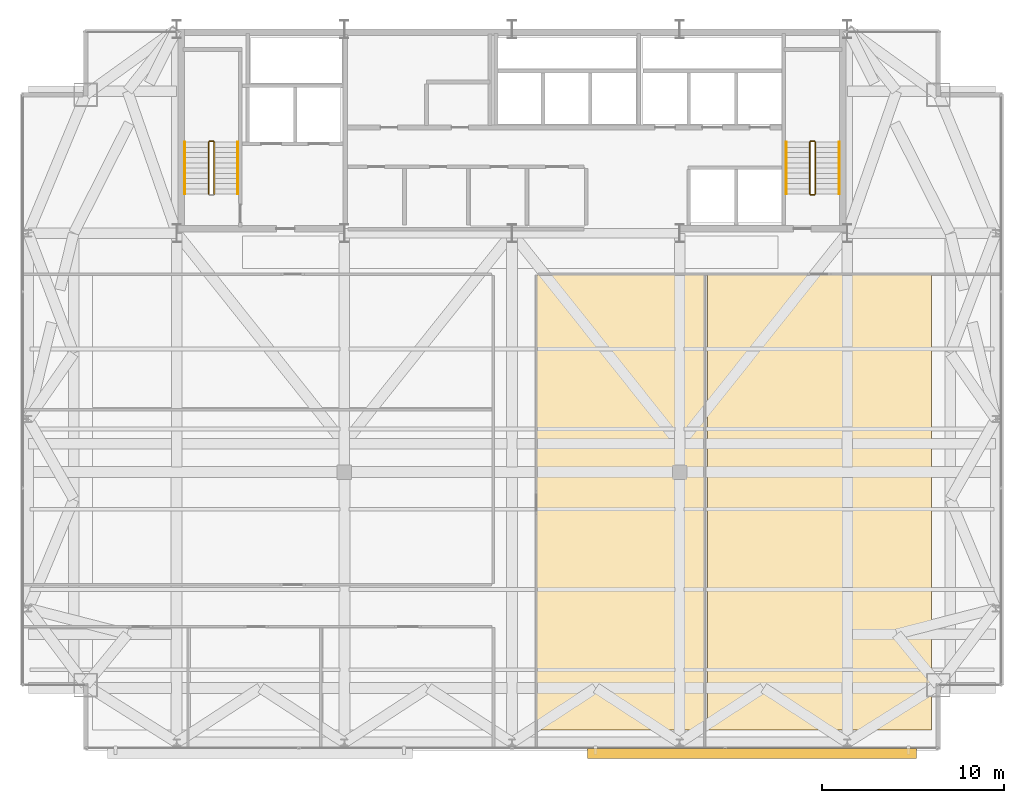
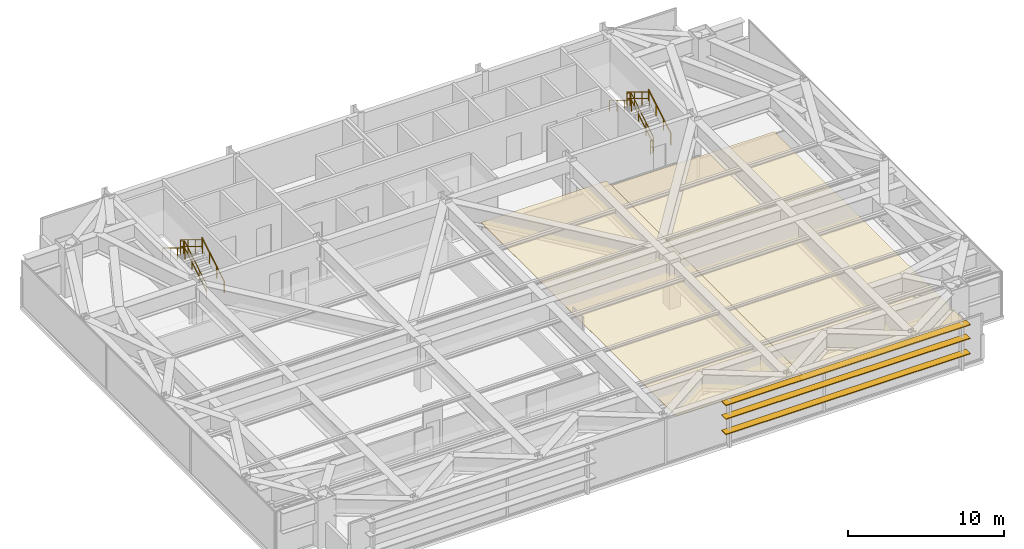
# One storey, part 26 of 26: 11 railings, 3 shading devices, 2 coverings.
"""IFC4 building model written with IfcOpenShell, lengths in metres."""

import ifcopenshell
import ifcopenshell.guid

model = None  # the IFC model being written
_history = None  # IfcOwnerHistory: only IFC2X3 demands one
_inside = {}  # id of a spatial element -> (the spatial element, [elements in it])
_under = {}  # id of a project, library or spatial element -> (it, [spatial elements below it])
_declared = {}  # id of a project -> (the project, [libraries it declares])
_typed = {}  # id of a type object -> (the type object, [elements of that type])
_made_of = {}  # id of a material, layer set ... -> (it, [elements and type objects made of it])


def new_model(schema):
    """Start an empty IFC model of exactly this schema.

    Asked for "IFC4X3", IfcOpenShell would pick the latest addendum, in which some entities
    have other attributes; the version numbers below select the first issue.
    IFC2X3 requires an IfcOwnerHistory on every rooted entity: one is made here for all.
    """
    global model, _history
    if schema == "IFC4X3":
        model = ifcopenshell.file(schema_version=(4, 3, 0, 0))
    else:
        model = ifcopenshell.file(schema=schema)
    _inside.clear()
    _under.clear()
    _declared.clear()
    _typed.clear()
    _made_of.clear()
    _history = None
    if model.schema == "IFC2X3":
        org = make("IfcOrganization", Name="unknown")
        user = make(
            "IfcPersonAndOrganization",
            ThePerson=make("IfcPerson", FamilyName="unknown"),
            TheOrganization=org,
        )
        app = make(
            "IfcApplication",
            ApplicationDeveloper=org,
            Version="unknown",
            ApplicationFullName="unknown",
            ApplicationIdentifier="unknown",
        )
        _history = make(
            "IfcOwnerHistory",
            OwningUser=user,
            OwningApplication=app,
            ChangeAction="ADDED",
            CreationDate=0,
        )
    return model


def make(cls, **values):
    """One entity of the class cls with the attributes given. An attribute that is None is left unset."""
    return model.create_entity(
        cls, **{name: value for name, value in values.items() if value is not None}
    )


def rooted(cls, **values):
    """An entity with a GlobalId (a new one), such as an element, a storey or a relation."""
    return make(cls, GlobalId=ifcopenshell.guid.new(), OwnerHistory=_history, **values)


def si_unit(unit_type, name, prefix=None):
    """IfcSIUnit, for example si_unit("LENGTHUNIT", "METRE", prefix="MILLI")."""
    return make("IfcSIUnit", UnitType=unit_type, Prefix=prefix, Name=name)


def assignment(units):
    """IfcUnitAssignment: the units of a project."""
    return None if units is None else make("IfcUnitAssignment", Units=units)


def point(xyz):
    """IfcCartesianPoint."""
    return None if xyz is None else make("IfcCartesianPoint", Coordinates=xyz)


def direction(xyz):
    """IfcDirection."""
    return None if xyz is None else make("IfcDirection", DirectionRatios=xyz)


def frame(location, z_axis=None, x_axis=None):
    """IfcAxis2Placement3D, a coordinate frame: its origin and axes. An axis left out is left unset."""
    return make(
        "IfcAxis2Placement3D",
        Location=point(location),
        Axis=direction(z_axis),
        RefDirection=direction(x_axis),
    )


def frame_2d(location, x_axis=None):
    """IfcAxis2Placement2D, a coordinate frame in the plane: its origin and x axis."""
    return make(
        "IfcAxis2Placement2D", Location=point(location), RefDirection=direction(x_axis)
    )


def origin():
    """The frame at (0, 0, 0) with its axes left unset."""
    return frame((0.0, 0.0, 0.0))


def origin_2d():
    """The frame at (0, 0) in the plane with its x axis left unset."""
    return frame_2d((0.0, 0.0))


def place(relative_to, where):
    """IfcLocalPlacement: puts the frame where relative to a parent placement (None: the world)."""
    return make(
        "IfcLocalPlacement", PlacementRelTo=relative_to, RelativePlacement=where
    )


def context(
    kind, dimensions, precision=None, world=None, true_north=None, identifier=None
):
    """IfcGeometricRepresentationContext, for example the 3D "Model" context."""
    return make(
        "IfcGeometricRepresentationContext",
        ContextIdentifier=identifier,
        ContextType=kind,
        CoordinateSpaceDimension=dimensions,
        Precision=precision,
        WorldCoordinateSystem=world,
        TrueNorth=true_north,
    )


def subcontext(parent, identifier, kind, view, scale=None):
    """IfcGeometricRepresentationSubContext, for example "Body" below "Model"."""
    return make(
        "IfcGeometricRepresentationSubContext",
        ContextIdentifier=identifier,
        ContextType=kind,
        ParentContext=parent,
        TargetScale=scale,
        TargetView=view,
    )


def project(units=None, contexts=None):
    """IfcProject with its units and contexts."""
    return rooted(
        "IfcProject",
        Name="project",
        RepresentationContexts=contexts,
        UnitsInContext=assignment(units),
    )


def spatial(cls, under=None, at=None, **own):
    """A site, building, storey or space (cls), placed at a placement, below another one or the project."""
    s = rooted(cls, ObjectPlacement=at, **own)
    if under is not None:
        _under.setdefault(under.id(), (under, []))[1].append(s)
    return s


def polyline(points):
    """IfcPolyline through the points."""
    return make("IfcPolyline", Points=[point(p) for p in points])


def profile(cls, at=None, kind="AREA", **sizes):
    """A parametric profile (cls). Its sizes go by their IFC names, for example OverallWidth=200.0."""
    return make(cls, ProfileType=kind, Position=at, **sizes)


def rectangle(**sizes):
    """IfcRectangleProfileDef."""
    return profile("IfcRectangleProfileDef", **sizes)


def outline(outer, holes=None, kind="AREA"):
    """IfcArbitraryClosedProfileDef: a profile drawn as a closed curve; with holes, ...WithVoids."""
    if holes is None:
        return make("IfcArbitraryClosedProfileDef", ProfileType=kind, OuterCurve=outer)
    return make(
        "IfcArbitraryProfileDefWithVoids",
        ProfileType=kind,
        OuterCurve=outer,
        InnerCurves=holes,
    )


def extrude(swept, where, along, depth):
    """IfcExtrudedAreaSolid: the profile swept, set in the frame where, extruded along a direction by depth."""
    return make(
        "IfcExtrudedAreaSolid",
        SweptArea=swept,
        Position=where,
        ExtrudedDirection=direction(along),
        Depth=depth,
    )


def shape(context_of_items, identifier, shape_type, items):
    """IfcShapeRepresentation: the items that make up one representation, for example the "Body"."""
    return make(
        "IfcShapeRepresentation",
        ContextOfItems=context_of_items,
        RepresentationIdentifier=identifier,
        RepresentationType=shape_type,
        Items=items,
    )


def source(mapping_origin, context_of_items, identifier, shape_type, items):
    """IfcRepresentationMap: a shape defined once, which mapped items show again and again."""
    return make(
        "IfcRepresentationMap",
        MappingOrigin=mapping_origin,
        MappedRepresentation=shape(context_of_items, identifier, shape_type, items),
    )


def transform(
    local_origin,
    x_axis=None,
    y_axis=None,
    z_axis=None,
    scale=None,
    scale2=None,
    scale3=None,
    uniform=True,
):
    """IfcCartesianTransformationOperator3D, or its non-uniform kind. x_axis, y_axis, z_axis: its Axis1, 2, 3."""
    if uniform:
        return make(
            "IfcCartesianTransformationOperator3D",
            Axis1=direction(x_axis),
            Axis2=direction(y_axis),
            LocalOrigin=point(local_origin),
            Scale=scale,
            Axis3=direction(z_axis),
        )
    return make(
        "IfcCartesianTransformationOperator3DnonUniform",
        Axis1=direction(x_axis),
        Axis2=direction(y_axis),
        LocalOrigin=point(local_origin),
        Scale=scale,
        Axis3=direction(z_axis),
        Scale2=scale2,
        Scale3=scale3,
    )


def mapped(mapping_source, mapping_target):
    """IfcMappedItem: shows the shape of a source again, moved by a transform."""
    return make(
        "IfcMappedItem", MappingSource=mapping_source, MappingTarget=mapping_target
    )


def material(Name=None, Category=None):
    """IfcMaterial."""
    return make("IfcMaterial", Name=Name, Category=Category)


def layer(
    of_material, thickness, ventilated=None, Name=None, Category=None, Priority=None
):
    """IfcMaterialLayer: one layer of a wall or slab, of a material (None: an air gap)."""
    return make(
        "IfcMaterialLayer",
        Material=of_material,
        LayerThickness=thickness,
        IsVentilated=ventilated,
        Name=Name,
        Category=Category,
        Priority=Priority,
    )


def layer_set(layers, Name=None):
    """IfcMaterialLayerSet."""
    return make("IfcMaterialLayerSet", MaterialLayers=layers, LayerSetName=Name)


def made_of(thing, what):
    """Note that an element or type object is made of a material, layer set ...; save() writes the relation."""
    if what is not None:
        _made_of.setdefault(what.id(), (what, []))[1].append(thing)
    return thing


def type_object(cls, material=None, **own):
    """A type object (cls), such as IfcWallType, which elements share."""
    return made_of(rooted(cls, **own), material)


def type_shapes(of_type, sources):
    """Give a type object the sources (RepresentationMaps) that its elements show as mapped items."""
    of_type.RepresentationMaps = sources


def element(
    cls,
    number,
    at=None,
    inside=None,
    cuts=None,
    type_object=None,
    material=None,
    context=None,
    identifier="Body",
    shape_type=None,
    held_by="IfcProductDefinitionShape",
    body=None,
    shapes=None,
    **own,
):
    """One element of the class cls, such as IfcWall. Its Tag is "e" and its number.

    at: its placement. inside: the storey or other place that contains it. cuts: it is an
    opening in that element (IfcRelVoidsElement). A single representation is given by context,
    identifier, shape_type and body (its items); several are given by shapes. held_by: the class
    of the entity that holds the representations. save() writes the other relations.
    """
    e = rooted(cls, Tag="e%d" % number, ObjectPlacement=at, **own)
    if body is not None:
        shapes = [shape(context, identifier, shape_type, body)]
    if shapes is not None:
        e.Representation = make(held_by, Representations=shapes)
    if inside is not None:
        _inside.setdefault(inside.id(), (inside, []))[1].append(e)
    if cuts is not None:
        rooted(
            "IfcRelVoidsElement", RelatingBuildingElement=cuts, RelatedOpeningElement=e
        )
    if type_object is not None:
        _typed.setdefault(type_object.id(), (type_object, []))[1].append(e)
    return made_of(e, material)


def aggregate(whole, parts):
    """IfcRelAggregates: a whole, such as a stair, and the parts it consists of."""
    return rooted("IfcRelAggregates", RelatingObject=whole, RelatedObjects=parts)


def save(model, path):
    """Write the relations noted so far, then the file.

    IfcRelAggregates (storeys below a building ...), IfcRelContainedInSpatialStructure (elements
    in a storey), IfcRelDefinesByType, IfcRelAssociatesMaterial and IfcRelDeclares: one each for
    every whole, place, type object, material and project.
    """
    for whole, parts in _under.values():
        aggregate(whole, parts)
    for where, things in _inside.values():
        rooted(
            "IfcRelContainedInSpatialStructure",
            RelatedElements=things,
            RelatingStructure=where,
        )
    for kind, things in _typed.values():
        rooted("IfcRelDefinesByType", RelatedObjects=things, RelatingType=kind)
    for what, things in _made_of.values():
        rooted("IfcRelAssociatesMaterial", RelatedObjects=things, RelatingMaterial=what)
    for by, libraries in _declared.values():
        rooted("IfcRelDeclares", RelatingContext=by, RelatedDefinitions=libraries)
    model.write(path)


model = new_model("IFC4")

# Units and contexts
model_context = context("Model", 3, precision=1e-05, world=origin(), true_north=direction((0.0, 1.0)))
body_context = subcontext(model_context, "Body", "Model", "MODEL_VIEW")
ifc_project = project(units=[si_unit("LENGTHUNIT", "METRE"), si_unit("AREAUNIT", "SQUARE_METRE"), si_unit("VOLUMEUNIT", "CUBIC_METRE"), si_unit("PLANEANGLEUNIT", "RADIAN"), si_unit("MASSUNIT", "GRAM", prefix="KILO")], contexts=[model_context])

# Site, building, storey
site_placement = place(None, origin())
site = spatial("IfcSite", under=ifc_project, at=site_placement, CompositionType="ELEMENT")
building_placement = place(site_placement, origin())
building = spatial("IfcBuilding", under=site, at=building_placement, Name="Varnel Quay Broadcast Tower", CompositionType="ELEMENT")
storey_placement = place(building_placement, frame((0.0, 0.0, 196.0)))
storey = spatial("IfcBuildingStorey", under=building, at=storey_placement, Name="L48", CompositionType="ELEMENT", Elevation=196.0)

# Coverings
ifc_material_1 = material(Name="Micro-Perforated Acoustic Ceiling Tile")
ifc_layer_1 = layer(ifc_material_1, 0.0400390625, Name="Micro-Perforated Acoustic Ceiling Tile")
ifc_layer_set_1 = layer_set([ifc_layer_1], Name="Micro-Perforated Acoustic Ceiling Tile")
covering_type = type_object("IfcCoveringType", Name="Cov_AcousticCeiling", PredefinedType="CEILING", material=ifc_layer_set_1)
covering_1_placement = place(storey_placement, frame((0.0, 0.0, 2.580078125)))
element("IfcCovering", 1, at=covering_1_placement, inside=storey, type_object=covering_type, Name="L48 Media Tape Archive Store 6 Acoustic Ceiling", PredefinedType="CEILING", context=body_context, shape_type="SweptSolid", body=[
    extrude(outline(polyline([(35.364990234375, 8.324951171875), (44.64501953125, 8.324951171875), (44.64501953125, 33.31494140625), (35.364990234375, 33.31494140625), (35.364990234375, 8.324951171875)])), origin(), (0.0, 0.0, 1.0), 0.0400390625),
])
covering_2_placement = place(storey_placement, frame((0.0, 0.0, 2.094970703125)))
element("IfcCovering", 2, at=covering_2_placement, inside=storey, type_object=covering_type, Name="L48 Lens & Rigging Store 7 Acoustic Ceiling", PredefinedType="CEILING", context=body_context, shape_type="SweptSolid", body=[
    extrude(outline(polyline([(44.715087890625, 8.324951171875), (57.014892578125, 8.324951171875), (57.014892578125, 33.31494140625), (44.715087890625, 33.31494140625), (44.715087890625, 8.324951171875)])), origin(), (0.0, 0.0, 1.0), 0.0400390625),
])

# Railings
ifc_material_2 = material(Name="Painted Steel Guard and Handrail CSA G40.21 350W", Category="steel")
railing_type_1 = type_object("IfcRailingType", Name="Rail_StairGuard1100", PredefinedType="GUARDRAIL", material=ifc_material_2)
railing_1_placement = place(storey_placement, frame((17.64990234375, 37.75, 0.172607421875)))
element("IfcRailing", 3, at=railing_1_placement, inside=storey, type_object=railing_type_1, Name="L48 ST-01 stair guard 1", PredefinedType="GUARDRAIL", context=body_context, shape_type="SweptSolid", body=[
    extrude(rectangle(XDim=0.048095703125, YDim=0.048095703125, at=origin_2d()), frame((0.0, 0.0, 1.076171875), z_axis=(0.0, 0.855202751398, 0.518293598264), x_axis=(-1.0, 0.0, 0.0)), (0.0, 0.0, 1.0), 3.332763671875),
    extrude(rectangle(XDim=0.048095703125, YDim=0.048095703125, at=origin_2d()), frame((0.0, 0.0, 0.550048828125), z_axis=(0.0, 0.855202751398, 0.518293598264), x_axis=(-1.0, 0.0, 0.0)), (0.0, 0.0, 1.0), 3.332763671875),
    extrude(rectangle(XDim=0.0419921875, YDim=0.0419921875, at=origin_2d()), origin(), (0.0, 0.0, 1.0), 1.052001953125),
    extrude(rectangle(XDim=0.0419921875, YDim=0.0419921875, at=origin_2d()), frame((0.0, 0.949951171875, 0.57568359375)), (0.0, 0.0, 1.0), 1.052001953125),
    extrude(rectangle(XDim=0.0419921875, YDim=0.0419921875, at=origin_2d()), frame((0.0, 1.900146484375, 1.151611328125)), (0.0, 0.0, 1.0), 1.052001953125),
    extrude(rectangle(XDim=0.0419921875, YDim=0.0419921875, at=origin_2d()), frame((0.0, 2.85009765625, 1.727294921875)), (0.0, 0.0, 1.0), 1.052001953125),
])
railing_2_placement = place(storey_placement, frame((17.60009765625, 40.64990234375, 1.89990234375)))
element("IfcRailing", 4, at=railing_2_placement, inside=storey, type_object=railing_type_1, Name="L48 ST-01 stair guard 2", PredefinedType="GUARDRAIL", context=body_context, shape_type="SweptSolid", body=[
    extrude(rectangle(XDim=0.048095703125, YDim=0.048095703125, at=origin_2d()), frame((0.0, 0.0, 1.076171875), z_axis=(-1.0, 0.0, 0.0), x_axis=(0.0, -1.0, 0.0)), (0.0, 0.0, 1.0), 0.2001953125),
    extrude(rectangle(XDim=0.048095703125, YDim=0.048095703125, at=origin_2d()), frame((0.0, 0.0, 0.550048828125), z_axis=(-1.0, 0.0, 0.0), x_axis=(0.0, -1.0, 0.0)), (0.0, 0.0, 1.0), 0.2001953125),
    extrude(rectangle(XDim=0.0419921875, YDim=0.0419921875, at=origin_2d()), origin(), (0.0, 0.0, 1.0), 1.052001953125),
    extrude(rectangle(XDim=0.0419921875, YDim=0.0419921875, at=origin_2d()), frame((-0.2001953125, 0.0, 0.0)), (0.0, 0.0, 1.0), 1.052001953125),
])
railing_3_placement = place(storey_placement, frame((17.35009765625, 40.60009765625, 2.07275390625)))
element("IfcRailing", 5, at=railing_3_placement, inside=storey, type_object=railing_type_1, Name="L48 ST-01 stair guard 3", PredefinedType="GUARDRAIL", context=body_context, shape_type="SweptSolid", body=[
    extrude(rectangle(XDim=0.048095703125, YDim=0.048095703125, at=origin_2d()), frame((0.0, 0.0, 1.076171875), z_axis=(0.0, -0.855202751398, 0.518293598264), x_axis=(1.0, 0.0, 0.0)), (0.0, 0.0, 1.0), 3.332763671875),
    extrude(rectangle(XDim=0.048095703125, YDim=0.048095703125, at=origin_2d()), frame((0.0, 0.0, 0.550048828125), z_axis=(0.0, -0.855202751398, 0.518293598264), x_axis=(1.0, 0.0, 0.0)), (0.0, 0.0, 1.0), 3.332763671875),
    extrude(rectangle(XDim=0.0419921875, YDim=0.0419921875, at=origin_2d()), origin(), (0.0, 0.0, 1.0), 1.052001953125),
    extrude(rectangle(XDim=0.0419921875, YDim=0.0419921875, at=origin_2d()), frame((0.0, -0.949951171875, 0.57568359375)), (0.0, 0.0, 1.0), 1.052001953125),
    extrude(rectangle(XDim=0.0419921875, YDim=0.0419921875, at=origin_2d()), frame((0.0, -1.900146484375, 1.151611328125)), (0.0, 0.0, 1.0), 1.052001953125),
    extrude(rectangle(XDim=0.0419921875, YDim=0.0419921875, at=origin_2d()), frame((0.0, -2.85009765625, 1.727294921875)), (0.0, 0.0, 1.0), 1.052001953125),
])
railing_4_placement = place(storey_placement, frame((50.64990234375, 37.75, 0.172607421875)))
element("IfcRailing", 6, at=railing_4_placement, inside=storey, type_object=railing_type_1, Name="L48 ST-02 stair guard 1", PredefinedType="GUARDRAIL", context=body_context, shape_type="SweptSolid", body=[
    extrude(rectangle(XDim=0.048095703125, YDim=0.048095703125, at=origin_2d()), frame((0.0, 0.0, 1.076171875), z_axis=(0.0, 0.855202751398, 0.518293598264), x_axis=(-1.0, 0.0, 0.0)), (0.0, 0.0, 1.0), 3.332763671875),
    extrude(rectangle(XDim=0.048095703125, YDim=0.048095703125, at=origin_2d()), frame((0.0, 0.0, 0.550048828125), z_axis=(0.0, 0.855202751398, 0.518293598264), x_axis=(-1.0, 0.0, 0.0)), (0.0, 0.0, 1.0), 3.332763671875),
    extrude(rectangle(XDim=0.0419921875, YDim=0.0419921875, at=origin_2d()), origin(), (0.0, 0.0, 1.0), 1.052001953125),
    extrude(rectangle(XDim=0.0419921875, YDim=0.0419921875, at=origin_2d()), frame((0.0, 0.949951171875, 0.57568359375)), (0.0, 0.0, 1.0), 1.052001953125),
    extrude(rectangle(XDim=0.0419921875, YDim=0.0419921875, at=origin_2d()), frame((0.0, 1.900146484375, 1.151611328125)), (0.0, 0.0, 1.0), 1.052001953125),
    extrude(rectangle(XDim=0.0419921875, YDim=0.0419921875, at=origin_2d()), frame((0.0, 2.85009765625, 1.727294921875)), (0.0, 0.0, 1.0), 1.052001953125),
])
railing_5_placement = place(storey_placement, frame((50.60009765625, 40.64990234375, 1.89990234375)))
element("IfcRailing", 7, at=railing_5_placement, inside=storey, type_object=railing_type_1, Name="L48 ST-02 stair guard 2", PredefinedType="GUARDRAIL", context=body_context, shape_type="SweptSolid", body=[
    extrude(rectangle(XDim=0.048095703125, YDim=0.048095703125, at=origin_2d()), frame((0.0, 0.0, 1.076171875), z_axis=(-1.0, 0.0, 0.0), x_axis=(0.0, -1.0, 0.0)), (0.0, 0.0, 1.0), 0.2001953125),
    extrude(rectangle(XDim=0.048095703125, YDim=0.048095703125, at=origin_2d()), frame((0.0, 0.0, 0.550048828125), z_axis=(-1.0, 0.0, 0.0), x_axis=(0.0, -1.0, 0.0)), (0.0, 0.0, 1.0), 0.2001953125),
    extrude(rectangle(XDim=0.0419921875, YDim=0.0419921875, at=origin_2d()), origin(), (0.0, 0.0, 1.0), 1.052001953125),
    extrude(rectangle(XDim=0.0419921875, YDim=0.0419921875, at=origin_2d()), frame((-0.2001953125, 0.0, 0.0)), (0.0, 0.0, 1.0), 1.052001953125),
])
railing_6_placement = place(storey_placement, frame((50.35009765625, 40.60009765625, 2.07275390625)))
element("IfcRailing", 8, at=railing_6_placement, inside=storey, type_object=railing_type_1, Name="L48 ST-02 stair guard 3", PredefinedType="GUARDRAIL", context=body_context, shape_type="SweptSolid", body=[
    extrude(rectangle(XDim=0.048095703125, YDim=0.048095703125, at=origin_2d()), frame((0.0, 0.0, 1.076171875), z_axis=(0.0, -0.855202751398, 0.518293598264), x_axis=(1.0, 0.0, 0.0)), (0.0, 0.0, 1.0), 3.332763671875),
    extrude(rectangle(XDim=0.048095703125, YDim=0.048095703125, at=origin_2d()), frame((0.0, 0.0, 0.550048828125), z_axis=(0.0, -0.855202751398, 0.518293598264), x_axis=(1.0, 0.0, 0.0)), (0.0, 0.0, 1.0), 3.332763671875),
    extrude(rectangle(XDim=0.0419921875, YDim=0.0419921875, at=origin_2d()), origin(), (0.0, 0.0, 1.0), 1.052001953125),
    extrude(rectangle(XDim=0.0419921875, YDim=0.0419921875, at=origin_2d()), frame((0.0, -0.949951171875, 0.57568359375)), (0.0, 0.0, 1.0), 1.052001953125),
    extrude(rectangle(XDim=0.0419921875, YDim=0.0419921875, at=origin_2d()), frame((0.0, -1.900146484375, 1.151611328125)), (0.0, 0.0, 1.0), 1.052001953125),
    extrude(rectangle(XDim=0.0419921875, YDim=0.0419921875, at=origin_2d()), frame((0.0, -2.85009765625, 1.727294921875)), (0.0, 0.0, 1.0), 1.052001953125),
])
railing_7_placement = place(storey_placement, frame((50.60009765625, 37.699951171875, 0.0)))
element("IfcRailing", 9, at=railing_7_placement, inside=storey, type_object=railing_type_1, Name="L48 ST-02 stair guard 4", PredefinedType="GUARDRAIL", context=body_context, shape_type="SweptSolid", body=[
    extrude(rectangle(XDim=0.048095703125, YDim=0.048095703125, at=origin_2d()), frame((0.0, 0.0, 1.076171875), z_axis=(-1.0, 0.0, 0.0), x_axis=(0.0, -1.0, 0.0)), (0.0, 0.0, 1.0), 0.2001953125),
    extrude(rectangle(XDim=0.048095703125, YDim=0.048095703125, at=origin_2d()), frame((0.0, 0.0, 0.550048828125), z_axis=(-1.0, 0.0, 0.0), x_axis=(0.0, -1.0, 0.0)), (0.0, 0.0, 1.0), 0.2001953125),
    extrude(rectangle(XDim=0.0419921875, YDim=0.0419921875, at=origin_2d()), origin(), (0.0, 0.0, 1.0), 1.052001953125),
    extrude(rectangle(XDim=0.0419921875, YDim=0.0419921875, at=origin_2d()), frame((-0.2001953125, 0.0, 0.0)), (0.0, 0.0, 1.0), 1.052001953125),
])
railing_type_2 = type_object("IfcRailingType", Name="Rail_StairHandrail900", PredefinedType="HANDRAIL", material=ifc_material_2)
railing_8_placement = place(storey_placement, frame((18.949951171875, 37.75, 0.172607421875)))
element("IfcRailing", 10, at=railing_8_placement, inside=storey, type_object=railing_type_2, Name="L48 ST-01 stair handrail 1", PredefinedType="HANDRAIL", context=body_context, shape_type="SweptSolid", body=[
    extrude(rectangle(XDim=0.048095703125, YDim=0.048095703125, at=origin_2d()), frame((0.0, 0.0, 0.8759765625), z_axis=(0.0, 0.855202751398, 0.518293598264), x_axis=(-1.0, 0.0, 0.0)), (0.0, 0.0, 1.0), 3.332763671875),
    extrude(rectangle(XDim=0.0419921875, YDim=0.0419921875, at=origin_2d()), origin(), (0.0, 0.0, 1.0), 0.851806640625),
    extrude(rectangle(XDim=0.0419921875, YDim=0.0419921875, at=origin_2d()), frame((0.0, 0.949951171875, 0.57568359375)), (0.0, 0.0, 1.0), 0.851806640625),
    extrude(rectangle(XDim=0.0419921875, YDim=0.0419921875, at=origin_2d()), frame((0.0, 1.900146484375, 1.151611328125)), (0.0, 0.0, 1.0), 0.851806640625),
    extrude(rectangle(XDim=0.0419921875, YDim=0.0419921875, at=origin_2d()), frame((0.0, 2.85009765625, 1.727294921875)), (0.0, 0.0, 1.0), 0.851806640625),
])
railing_9_placement = place(storey_placement, frame((16.050048828125, 40.60009765625, 2.07275390625)))
element("IfcRailing", 11, at=railing_9_placement, inside=storey, type_object=railing_type_2, Name="L48 ST-01 stair handrail 2", PredefinedType="HANDRAIL", context=body_context, shape_type="SweptSolid", body=[
    extrude(rectangle(XDim=0.048095703125, YDim=0.048095703125, at=origin_2d()), frame((0.0, 0.0, 0.8759765625), z_axis=(0.0, -0.855202751398, 0.518293598264), x_axis=(1.0, 0.0, 0.0)), (0.0, 0.0, 1.0), 3.332763671875),
    extrude(rectangle(XDim=0.0419921875, YDim=0.0419921875, at=origin_2d()), origin(), (0.0, 0.0, 1.0), 0.851806640625),
    extrude(rectangle(XDim=0.0419921875, YDim=0.0419921875, at=origin_2d()), frame((0.0, -0.949951171875, 0.57568359375)), (0.0, 0.0, 1.0), 0.851806640625),
    extrude(rectangle(XDim=0.0419921875, YDim=0.0419921875, at=origin_2d()), frame((0.0, -1.900146484375, 1.151611328125)), (0.0, 0.0, 1.0), 0.851806640625),
    extrude(rectangle(XDim=0.0419921875, YDim=0.0419921875, at=origin_2d()), frame((0.0, -2.85009765625, 1.727294921875)), (0.0, 0.0, 1.0), 0.851806640625),
])
railing_10_placement = place(storey_placement, frame((51.949951171875, 37.75, 0.172607421875)))
element("IfcRailing", 12, at=railing_10_placement, inside=storey, type_object=railing_type_2, Name="L48 ST-02 stair handrail 1", PredefinedType="HANDRAIL", context=body_context, shape_type="SweptSolid", body=[
    extrude(rectangle(XDim=0.048095703125, YDim=0.048095703125, at=origin_2d()), frame((0.0, 0.0, 0.8759765625), z_axis=(0.0, 0.855202751398, 0.518293598264), x_axis=(-1.0, 0.0, 0.0)), (0.0, 0.0, 1.0), 3.332763671875),
    extrude(rectangle(XDim=0.0419921875, YDim=0.0419921875, at=origin_2d()), origin(), (0.0, 0.0, 1.0), 0.851806640625),
    extrude(rectangle(XDim=0.0419921875, YDim=0.0419921875, at=origin_2d()), frame((0.0, 0.949951171875, 0.57568359375)), (0.0, 0.0, 1.0), 0.851806640625),
    extrude(rectangle(XDim=0.0419921875, YDim=0.0419921875, at=origin_2d()), frame((0.0, 1.900146484375, 1.151611328125)), (0.0, 0.0, 1.0), 0.851806640625),
    extrude(rectangle(XDim=0.0419921875, YDim=0.0419921875, at=origin_2d()), frame((0.0, 2.85009765625, 1.727294921875)), (0.0, 0.0, 1.0), 0.851806640625),
])
railing_11_placement = place(storey_placement, frame((49.050048828125, 40.60009765625, 2.07275390625)))
element("IfcRailing", 13, at=railing_11_placement, inside=storey, type_object=railing_type_2, Name="L48 ST-02 stair handrail 2", PredefinedType="HANDRAIL", context=body_context, shape_type="SweptSolid", body=[
    extrude(rectangle(XDim=0.048095703125, YDim=0.048095703125, at=origin_2d()), frame((0.0, 0.0, 0.8759765625), z_axis=(0.0, -0.855202751398, 0.518293598264), x_axis=(1.0, 0.0, 0.0)), (0.0, 0.0, 1.0), 3.332763671875),
    extrude(rectangle(XDim=0.0419921875, YDim=0.0419921875, at=origin_2d()), origin(), (0.0, 0.0, 1.0), 0.851806640625),
    extrude(rectangle(XDim=0.0419921875, YDim=0.0419921875, at=origin_2d()), frame((0.0, -0.949951171875, 0.57568359375)), (0.0, 0.0, 1.0), 0.851806640625),
    extrude(rectangle(XDim=0.0419921875, YDim=0.0419921875, at=origin_2d()), frame((0.0, -1.900146484375, 1.151611328125)), (0.0, 0.0, 1.0), 0.851806640625),
    extrude(rectangle(XDim=0.0419921875, YDim=0.0419921875, at=origin_2d()), frame((0.0, -2.85009765625, 1.727294921875)), (0.0, 0.0, 1.0), 0.851806640625),
])

# Shading devices
ifc_material_3 = material(Name="Bronze-Terracotta Extruded Ceramic Blade", Category="masonry")
ifc_layer_2 = layer(ifc_material_3, 0.06494140625, Name="Bronze-Terracotta Extruded Ceramic Blade")
ifc_layer_set_2 = layer_set([ifc_layer_2], Name="Bronze-Terracotta Extruded Ceramic Blade")
shading_device_type = type_object("IfcShadingDeviceType", Name="Shade_LouvreBlade550", PredefinedType="JALOUSIE", material=ifc_layer_set_2)
shared_shape = source(origin(), body_context, "Body", "SweptSolid", [
    extrude(rectangle(XDim=18.069091796875, YDim=0.550048828125, at=origin_2d()), origin(), (0.0, 0.0, 1.0), 0.06494140625),
])
type_shapes(shading_device_type, [shared_shape])
for number, where, z_axis, x_axis, name in (
    (14, (47.166015625, 7.06005859375, 1.117431640625), (0.0, 0.0, 1.0), (1.0, 0.0, 0.0), "L48 Lobe 2 Horizontal Louvre Blade 1"),
    (15, (47.166015625, 7.06005859375, 2.317626953125), (0.0, 0.0, 1.0), (1.0, 0.0, 0.0), "L48 Lobe 2 Horizontal Louvre Blade 2"),
    (16, (47.166015625, 7.06005859375, 3.387451171875), (0.0, 0.0, 1.0), (1.0, 0.0, 0.0), "L48 Lobe 2 Horizontal Louvre Blade 3"),
):
    element("IfcShadingDevice", number, at=place(storey_placement, frame(where, z_axis=z_axis, x_axis=x_axis)), inside=storey, type_object=shading_device_type, Name=name, PredefinedType="JALOUSIE", context=body_context, shape_type="MappedRepresentation", body=[
        mapped(shared_shape, transform((0.0, 0.0, 0.0), x_axis=(1.0, 0.0, 0.0), y_axis=(0.0, 1.0, 0.0), z_axis=(0.0, 0.0, 1.0), scale=1.0)),
    ])

save(model, "model.ifc")
